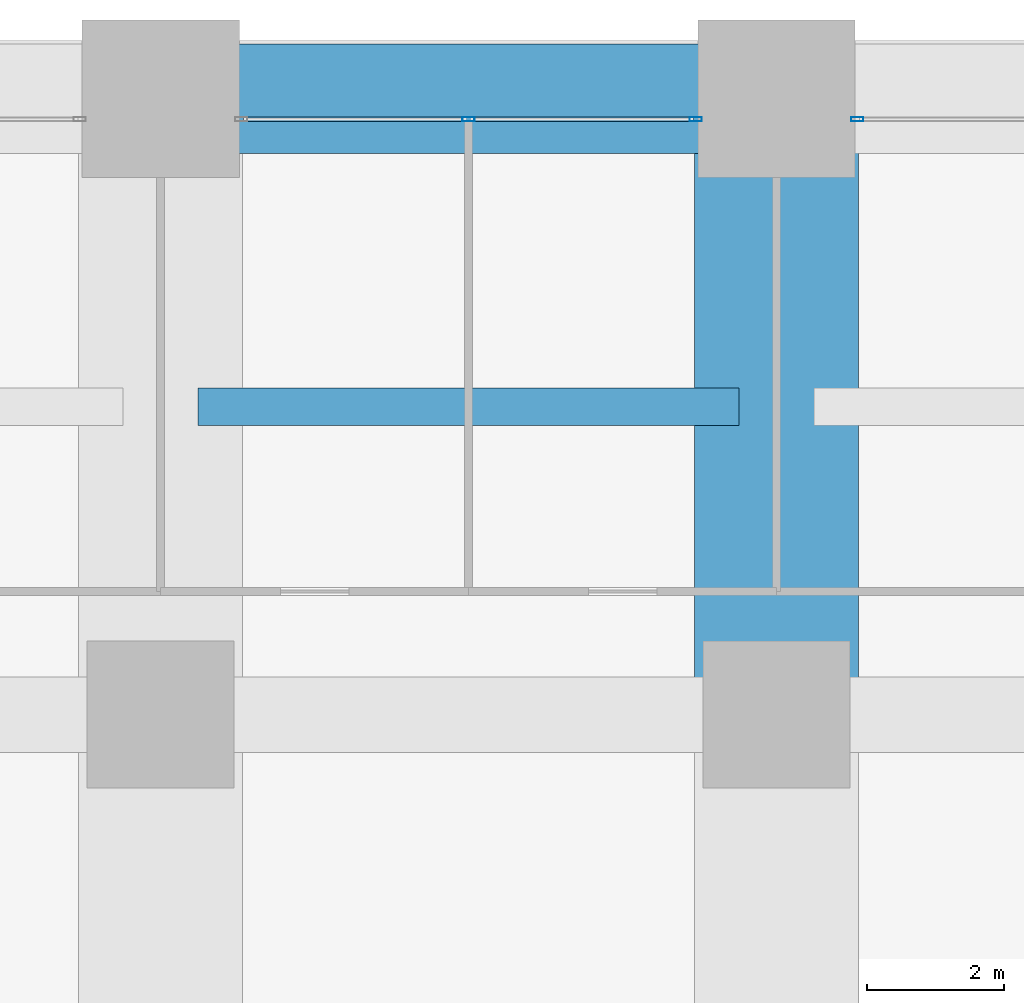
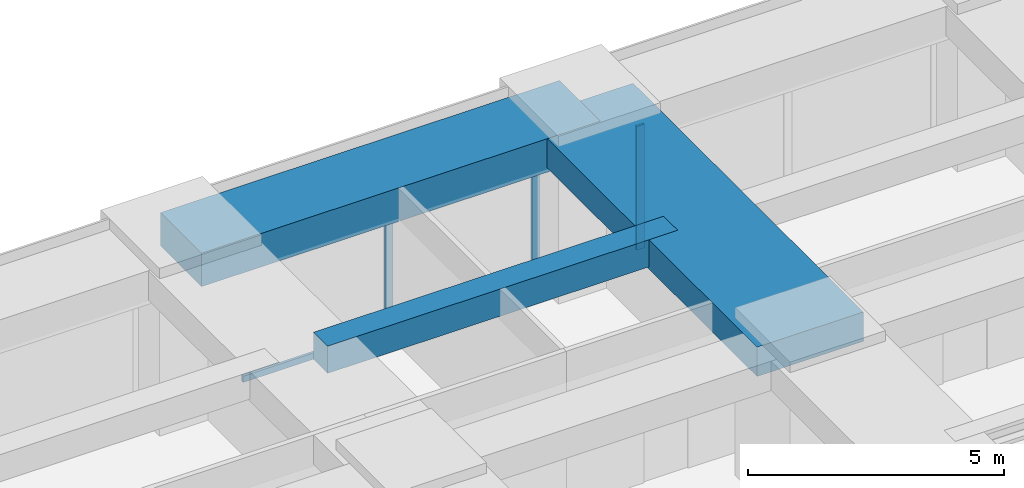
# One storey, part 34 of 43: 4 members, 3 beams, 2 elements without a shape of their own.
"""IFC4 building model written with IfcOpenShell, lengths in metres."""

from ifc_helpers import new_model, si_unit, direction, frame, origin, origin_2d, place, context, subcontext, project, spatial, rectangle, hollow_rectangle, extrude, material, material_profile, profile_set, type_object, element, aggregate, save


model = new_model("IFC4")

# Units and contexts
model_context = context("Model", 3, precision=1e-05, world=origin(), true_north=direction((0.0, 1.0)))
body_context = subcontext(model_context, "Body", "Model", "MODEL_VIEW")
ifc_project = project(units=[si_unit("LENGTHUNIT", "METRE"), si_unit("AREAUNIT", "SQUARE_METRE"), si_unit("VOLUMEUNIT", "CUBIC_METRE"), si_unit("PLANEANGLEUNIT", "RADIAN"), si_unit("MASSUNIT", "GRAM", prefix="KILO")], contexts=[model_context])

# Site, building, storey
site_placement = place(None, origin())
site = spatial("IfcSite", under=ifc_project, at=site_placement, CompositionType="ELEMENT")
building_placement = place(site_placement, origin())
building = spatial("IfcBuilding", under=site, at=building_placement, Name="Zorevar Civic Tower", CompositionType="ELEMENT")
storey_placement = place(building_placement, frame((0.0, 0.0, 67.800048828125)))
storey = spatial("IfcBuildingStorey", under=building, at=storey_placement, Name="L16", CompositionType="ELEMENT", Elevation=67.800048828125)

# Beams
ifc_material_1 = material(Name="Concrete C50/60", Category="concrete")
ifc_material_profile_1 = material_profile(ifc_material_1, rectangle(XDim=2.39990234375, YDim=0.699951171875, at=origin_2d()), Name="RC 2400x700")
ifc_profile_set_1 = profile_set([ifc_material_profile_1], Name="Concrete C50/60")
beam_type_1 = type_object("IfcBeamType", Name="Beam RC 2400x700", PredefinedType="BEAM", material=ifc_profile_set_1)
beam_1_placement = place(storey_placement, frame((36.0, 45.0, 3.39990234375), z_axis=(0.0, 1.0, 0.0), x_axis=(-1.0, 0.0, 0.0)))
element("IfcBeam", 1, at=beam_1_placement, inside=storey, type_object=beam_type_1, Name="Girder L17", PredefinedType="BEAM", context=body_context, shape_type="SweptSolid", body=[
    extrude(rectangle(XDim=2.39990234375, YDim=0.699951171875, at=origin_2d()), origin(), (0.0, 0.0, 1.0), 9.0),
])
ifc_material_2 = material(Name="Concrete C50/60", Category="concrete")
ifc_material_profile_2 = material_profile(ifc_material_2, rectangle(XDim=0.550048828125, YDim=0.64990234375, at=origin_2d()), Name="RC 550x650")
ifc_profile_set_2 = profile_set([ifc_material_profile_2], Name="Concrete C50/60")
beam_type_2 = type_object("IfcBeamType", Name="Beam RC 550x650", PredefinedType="BEAM", material=ifc_profile_set_2)
beam_2_placement = place(storey_placement, frame((27.550048828125, 49.5, 3.425048828125), z_axis=(1.0, 0.0, 0.0), x_axis=(0.0, 1.0, 0.0)))
element("IfcBeam", 2, at=beam_2_placement, inside=storey, type_object=beam_type_2, Name="Secondary beam L17", PredefinedType="BEAM", context=body_context, shape_type="SweptSolid", body=[
    extrude(rectangle(XDim=0.550048828125, YDim=0.64990234375, at=origin_2d()), origin(), (0.0, 0.0, 1.0), 7.89990234375),
])

# Curtain wall, members
ifc_material_3 = material(Name="Dark grey solar-control glass in black aluminium frame", Category="aluminium")
curtain_wall_type = type_object("IfcCurtainWallType", Name="Curtain wall CW2 low zone", PredefinedType="NOTDEFINED", material=ifc_material_3)
curtain_wall_1_placement = place(storey_placement, origin())
curtain_wall_1 = element("IfcCurtainWall", 3, at=curtain_wall_1_placement, inside=storey, type_object=curtain_wall_type, Name="CW2 L16", PredefinedType="NOTDEFINED")
ifc_material_4 = material(Name="Aluminium, black anodised", Category="aluminium")
ifc_material_profile_3 = material_profile(ifc_material_4, hollow_rectangle(XDim=0.06005859375, YDim=0.179931640625, WallThickness=0.00390625, at=origin_2d()), Name="AL 180x60x4")
ifc_profile_set_3 = profile_set([ifc_material_profile_3], Name="Aluminium, black anodised")
member_type_1 = type_object("IfcMemberType", Name="CW2 mullion AL 180x60x4", PredefinedType="MULLION", material=ifc_profile_set_3)
member_1_placement = place(storey_placement, frame((31.5, 53.699951171875, 0.06005859375), z_axis=(0.0, 0.0, 1.0), x_axis=(0.0, 1.0, 0.0)))
member_1 = element("IfcMember", 4, at=member_1_placement, type_object=member_type_1, Name="CW2 mullion 2", PredefinedType="MULLION", context=body_context, shape_type="SweptSolid", body=[
    extrude(hollow_rectangle(XDim=0.06005859375, YDim=0.179931640625, WallThickness=0.00390625, at=origin_2d()), origin(), (0.0, 0.0, 1.0), 2.889892578125),
])
member_2_placement = place(storey_placement, frame((34.820068359375, 53.699951171875, 0.0), z_axis=(0.0, 0.0, 1.0), x_axis=(0.0, 1.0, 0.0)))
member_2 = element("IfcMember", 5, at=member_2_placement, type_object=member_type_1, Name="CW2 mullion 3", PredefinedType="MULLION", context=body_context, shape_type="SweptSolid", body=[
    extrude(hollow_rectangle(XDim=0.06005859375, YDim=0.179931640625, WallThickness=0.00390625, at=origin_2d()), origin(), (0.0, 0.0, 1.0), 2.949951171875),
])

# Curtain wall, member
curtain_wall_2_placement = place(storey_placement, origin())
curtain_wall_2 = element("IfcCurtainWall", 6, at=curtain_wall_2_placement, inside=storey, type_object=curtain_wall_type, Name="CW2 L16", PredefinedType="NOTDEFINED")
member_3_placement = place(storey_placement, frame((37.179931640625, 53.699951171875, 0.0), z_axis=(0.0, 0.0, 1.0), x_axis=(0.0, 1.0, 0.0)))
member_3 = element("IfcMember", 7, at=member_3_placement, type_object=member_type_1, Name="CW2 mullion 1", PredefinedType="MULLION", context=body_context, shape_type="SweptSolid", body=[
    extrude(hollow_rectangle(XDim=0.06005859375, YDim=0.179931640625, WallThickness=0.00390625, at=origin_2d()), origin(), (0.0, 0.0, 1.0), 2.949951171875),
])
aggregate(curtain_wall_2, [member_3])

# Member
ifc_material_5 = material(Name="Aluminium, black anodised", Category="aluminium")
ifc_material_profile_4 = material_profile(ifc_material_5, hollow_rectangle(XDim=0.06005859375, YDim=0.14990234375, WallThickness=0.00390625, at=origin_2d()), Name="AL 150x60x4")
ifc_profile_set_4 = profile_set([ifc_material_profile_4], Name="Aluminium, black anodised")
member_type_2 = type_object("IfcMemberType", Name="CW2 transom AL 150x60x4", PredefinedType="USERDEFINED", material=ifc_profile_set_4)
member_4_placement = place(storey_placement, frame((28.2099609375, 53.699951171875, 0.030029296875), z_axis=(1.0, 0.0, 0.0), x_axis=(0.0, 1.0, 0.0)))
member_4 = element("IfcMember", 8, at=member_4_placement, type_object=member_type_2, Name="CW2 sill transom", ObjectType="TRANSOM", PredefinedType="USERDEFINED", context=body_context, shape_type="SweptSolid", body=[
    extrude(hollow_rectangle(XDim=0.06005859375, YDim=0.14990234375, WallThickness=0.00390625, at=origin_2d()), origin(), (0.0, 0.0, 1.0), 6.580078125),
])

aggregate(curtain_wall_1, [member_1, member_2, member_4])

# Beam
ifc_material_6 = material(Name="Concrete C50/60", Category="concrete")
ifc_material_profile_5 = material_profile(ifc_material_6, rectangle(XDim=1.60009765625, YDim=0.800048828125, at=origin_2d()), Name="RC 1600x800")
ifc_profile_set_5 = profile_set([ifc_material_profile_5], Name="Concrete C50/60")
beam_type_3 = type_object("IfcBeamType", Name="Edge beam RC 1600x800", PredefinedType="SPANDREL", material=ifc_profile_set_5)
beam_3_placement = place(storey_placement, frame((27.0, 54.0, 3.349853515625), z_axis=(1.0, 0.0, 0.0), x_axis=(0.0, 1.0, 0.0)))
element("IfcBeam", 9, at=beam_3_placement, inside=storey, type_object=beam_type_3, Name="Edge beam L17", PredefinedType="SPANDREL", context=body_context, shape_type="SweptSolid", body=[
    extrude(rectangle(XDim=1.60009765625, YDim=0.800048828125, at=origin_2d()), origin(), (0.0, 0.0, 1.0), 9.0),
])

save(model, "model.ifc")
